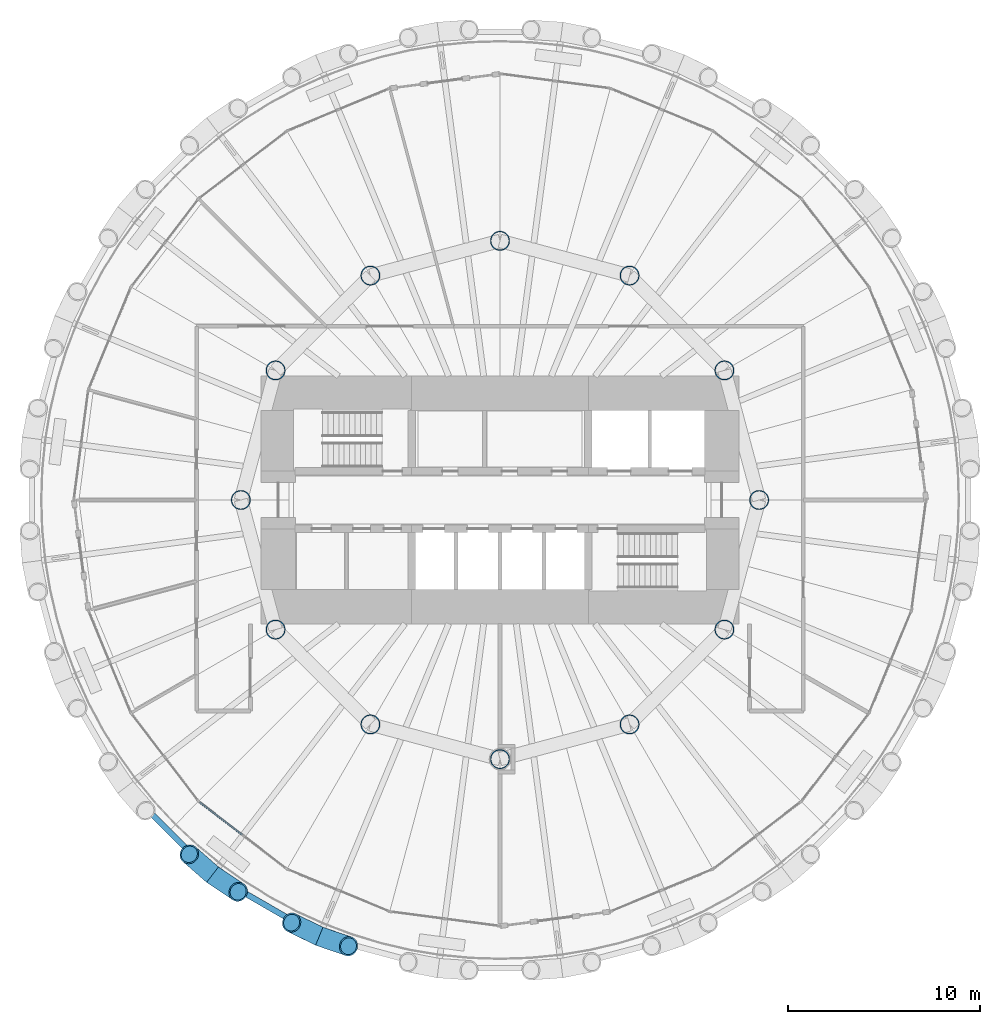
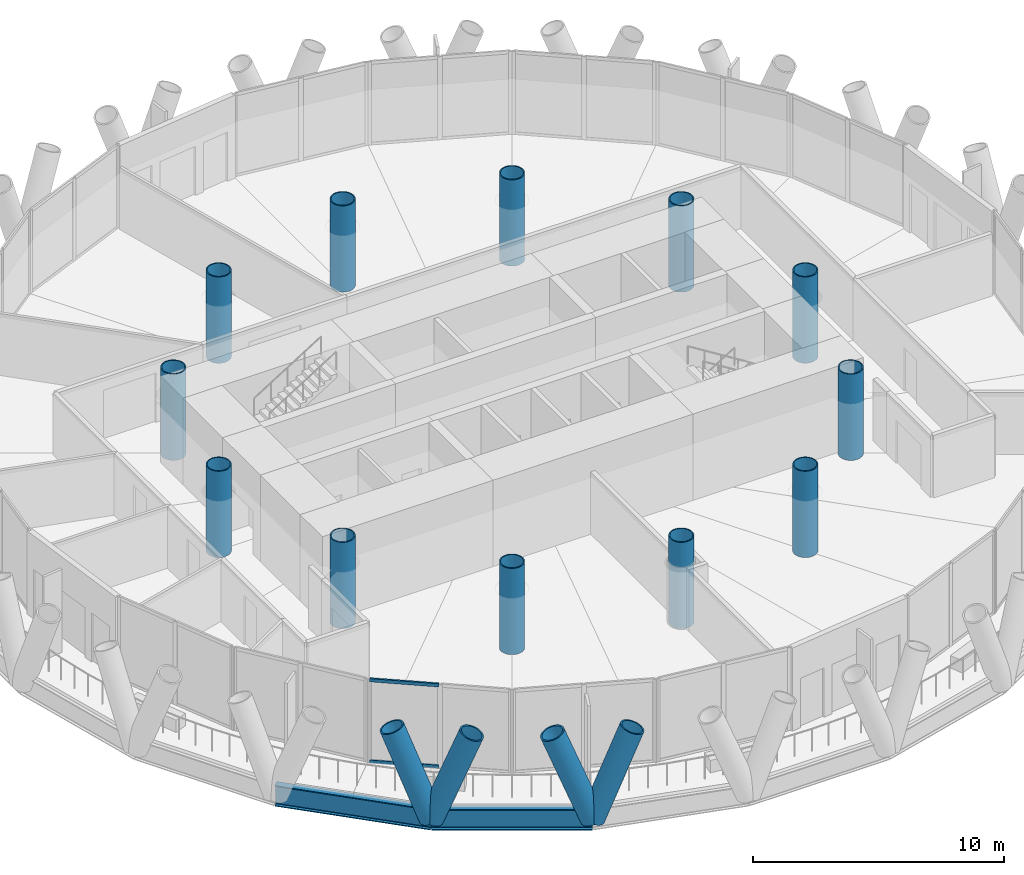
# One storey, part 1 of 14: 12 columns, 6 members, 2 beams, 1 element without a shape of its own.
"""IFC4 building model written with IfcOpenShell, lengths in metres."""

from ifc_helpers import new_model, si_unit, direction, frame, origin, origin_2d, place, context, subcontext, project, spatial, rectangle, hollow_circle, i_section, extrude, material, material_profile, profile_set, type_object, element, aggregate, save


model = new_model("IFC4")

# Units and contexts
model_context = context("Model", 3, precision=1e-05, world=origin(), true_north=direction((0.0, 1.0)))
body_context = subcontext(model_context, "Body", "Model", "MODEL_VIEW")
ifc_project = project(units=[si_unit("LENGTHUNIT", "METRE"), si_unit("AREAUNIT", "SQUARE_METRE"), si_unit("VOLUMEUNIT", "CUBIC_METRE"), si_unit("PLANEANGLEUNIT", "RADIAN"), si_unit("MASSUNIT", "GRAM", prefix="KILO")], contexts=[model_context])

# Site, building, storey
site_placement = place(None, origin())
site = spatial("IfcSite", under=ifc_project, at=site_placement, CompositionType="ELEMENT")
building_placement = place(site_placement, origin())
building = spatial("IfcBuilding", under=site, at=building_placement, Name="Qaws Media Tower", CompositionType="ELEMENT")
storey_placement = place(building_placement, frame((0.0, 0.0, 168.800048828125)))
storey = spatial("IfcBuildingStorey", under=building, at=storey_placement, Name="L38", CompositionType="ELEMENT", Elevation=168.800048828125)

# Columns
ifc_material_1 = material(Name="Steel S460", Category="steel")
ifc_material_profile_1 = material_profile(ifc_material_1, hollow_circle(Radius=0.508056640625, WallThickness=0.050048828125, at=origin_2d()), Name="CHS 1016x50")
ifc_profile_set_1 = profile_set([ifc_material_profile_1], Name="Steel S460")
column_type = type_object("IfcColumnType", Name="Inner column CHS 1016x50", PredefinedType="COLUMN", material=ifc_profile_set_1)
for number, where, z_axis, x_axis, name in (
    (1, (73.5, 50.0, 0.0), (0.0, 0.0, 1.0), (1.0, 0.0, 0.0), "C2 inner column I01 L38"),
    (2, (71.69140625, 56.75, 0.0), (0.0, 0.0, 1.0), (1.0, 0.0, 0.0), "C2 inner column I02 L38"),
    (3, (66.75, 61.69140625, 0.0), (0.0, 0.0, 1.0), (1.0, 0.0, 0.0), "C2 inner column I03 L38"),
    (4, (60.0, 63.5, 0.0), (0.0, 0.0, 1.0), (1.0, 0.0, 0.0), "C2 inner column I04 L38"),
    (5, (53.25, 61.69140625, 0.0), (0.0, 0.0, 1.0), (1.0, 0.0, 0.0), "C2 inner column I05 L38"),
    (6, (48.30859375, 56.75, 0.0), (0.0, 0.0, 1.0), (1.0, 0.0, 0.0), "C2 inner column I06 L38"),
    (7, (46.5, 50.0, 0.0), (0.0, 0.0, 1.0), (1.0, 0.0, 0.0), "C2 inner column I07 L38"),
    (8, (48.30859375, 43.25, 0.0), (0.0, 0.0, 1.0), (1.0, 0.0, 0.0), "C2 inner column I08 L38"),
    (9, (53.25, 38.30859375, 0.0), (0.0, 0.0, 1.0), (1.0, 0.0, 0.0), "C2 inner column I09 L38"),
    (10, (60.0, 36.5, 0.0), (0.0, 0.0, 1.0), (1.0, 0.0, 0.0), "C2 inner column I10 L38"),
    (11, (66.75, 38.30859375, 0.0), (0.0, 0.0, 1.0), (1.0, 0.0, 0.0), "C2 inner column I11 L38"),
    (12, (71.69140625, 43.25, 0.0), (0.0, 0.0, 1.0), (1.0, 0.0, 0.0), "C2 inner column I12 L38"),
):
    element("IfcColumn", number, at=place(storey_placement, frame(where, z_axis=z_axis, x_axis=x_axis)), inside=storey, type_object=column_type, Name=name, PredefinedType="COLUMN", context=body_context, shape_type="SweptSolid", body=[
        extrude(hollow_circle(Radius=0.508056640625, WallThickness=0.050048828125, at=origin_2d()), origin(), (0.0, 0.0, 1.0), 4.199951171875),
    ])

# Curtain wall, members
ifc_material_2 = material(Name="Aluminium and clear glass", Category="aluminium")
curtain_wall_type = type_object("IfcCurtainWallType", Name="Unitised curtain wall CW-B", PredefinedType="NOTDEFINED", material=ifc_material_2)
curtain_wall_placement = place(storey_placement, origin())
curtain_wall = element("IfcCurtainWall", 13, at=curtain_wall_placement, inside=storey, type_object=curtain_wall_type, Name="CWB curtain wall L38-16", PredefinedType="NOTDEFINED")
ifc_material_3 = material(Name="Aluminium transom", Category="aluminium")
ifc_material_profile_2 = material_profile(ifc_material_3, rectangle(XDim=0.080078125, YDim=0.159912109375, at=origin_2d()), Name="80x160")
ifc_profile_set_2 = profile_set([ifc_material_profile_2], Name="Aluminium transom")
member_type_1 = type_object("IfcMemberType", Name="Curtain wall transom 80x160", PredefinedType="USERDEFINED", material=ifc_profile_set_2)
member_1_placement = place(storey_placement, frame((44.36572265625, 34.25341796875, 0.0400390625), z_axis=(0.793348814772, -0.608767326735, 0.0), x_axis=(0.608767326735, 0.793348814772, 0.0)))
member_1 = element("IfcMember", 14, at=member_1_placement, type_object=member_type_1, Name="CWB transom 1.1", ObjectType="TRANSOM", PredefinedType="USERDEFINED", context=body_context, shape_type="SweptSolid", body=[
    extrude(rectangle(XDim=0.080078125, YDim=0.159912109375, at=origin_2d()), origin(), (0.0, 0.0, 1.0), 2.777587890625),
])
member_2_placement = place(storey_placement, frame((44.36572265625, 34.25341796875, 4.0), z_axis=(0.793348814772, -0.608767326735, 0.0), x_axis=(0.608767326735, 0.793348814772, 0.0)))
member_2 = element("IfcMember", 15, at=member_2_placement, type_object=member_type_1, Name="CWB transom 1.2", ObjectType="TRANSOM", PredefinedType="USERDEFINED", context=body_context, shape_type="SweptSolid", body=[
    extrude(rectangle(XDim=0.080078125, YDim=0.159912109375, at=origin_2d()), origin(), (0.0, 0.0, 1.0), 2.777587890625),
])
aggregate(curtain_wall, [member_1, member_2])

# Members
ifc_material_4 = material(Name="Steel S460", Category="steel")
ifc_material_profile_3 = material_profile(ifc_material_4, hollow_circle(Radius=0.508056640625, WallThickness=0.070068359375, at=origin_2d()), Name="CHS 1016x70")
ifc_profile_set_3 = profile_set([ifc_material_profile_3], Name="Steel S460")
member_type_2 = type_object("IfcMemberType", Name="Diagrid member CHS 1016x70", PredefinedType="USERDEFINED", material=ifc_profile_set_3)
for number, where, z_axis, x_axis, name in (
    (16, (45.0244140625, 30.4833984375, -0.6640625), (0.297141784694, -0.19921635912, 0.933819898079), (0.556869292922, 0.830600138816, 0.0), "DG3 diagrid L38 A16"),
    (17, (45.0244140625, 30.4833984375, -0.6640625), (-0.269350219792, 0.235423600007, 0.933823424239), (-0.658096290163, -0.752933777217, 0.0), "DG3 diagrid L38 B16"),
    (18, (50.5859375, 27.2724609375, -0.6640625), (0.338561751209, -0.115513773701, 0.93382680873), (0.322911821163, 0.946429054791, 0.0), "DG3 diagrid L38 A17"),
    (19, (50.5859375, 27.2724609375, -0.6640625), (-0.321083782797, 0.157692035338, 0.933829977253), (-0.440828812934, -0.897591197421, 0.0), "DG3 diagrid L38 B17"),
):
    element("IfcMember", number, at=place(storey_placement, frame(where, z_axis=z_axis, x_axis=x_axis)), inside=storey, type_object=member_type_2, Name=name, ObjectType="DIAGRID", PredefinedType="USERDEFINED", context=body_context, shape_type="SweptSolid", body=[
        extrude(hollow_circle(Radius=0.508056640625, WallThickness=0.070068359375, at=origin_2d()), origin(), (0.0, 0.0, 1.0), 4.49755859375),
    ])

# Beams
ifc_material_5 = material(Name="Steel S460", Category="steel")
ifc_material_profile_4 = material_profile(ifc_material_5, i_section(OverallWidth=0.302001953125, OverallDepth=1.008056640625, WebThickness=0.02099609375, FlangeThickness=0.0400390625, FilletRadius=0.030029296875, at=origin_2d()), Name="HE 1000 M")
ifc_profile_set_4 = profile_set([ifc_material_profile_4], Name="Steel S460")
beam_type = type_object("IfcBeamType", Name="Edge ring beam HE 1000 M", PredefinedType="BEAM", material=ifc_profile_set_4)
for number, where, z_axis, x_axis, name in (
    (20, (40.4833984375, 35.0244140625, -0.6640625), (0.707106781187, -0.707106781187, 0.0), (0.707106781187, 0.707106781187, 0.0), "RB3 edge ring beam L38-15"),
    (21, (45.0244140625, 30.4833984375, -0.6640625), (0.86602604797, -0.499998884236, 0.0), (0.499998884236, 0.86602604797, 0.0), "RB3 edge ring beam L38-16"),
):
    element("IfcBeam", number, at=place(storey_placement, frame(where, z_axis=z_axis, x_axis=x_axis)), inside=storey, type_object=beam_type, Name=name, PredefinedType="BEAM", context=body_context, shape_type="SweptSolid", body=[
        extrude(i_section(OverallWidth=0.302001953125, OverallDepth=1.008056640625, WebThickness=0.02099609375, FlangeThickness=0.0400390625, FilletRadius=0.030029296875, at=origin_2d()), origin(), (0.0, 0.0, 1.0), 6.421875),
    ])

save(model, "model.ifc")
